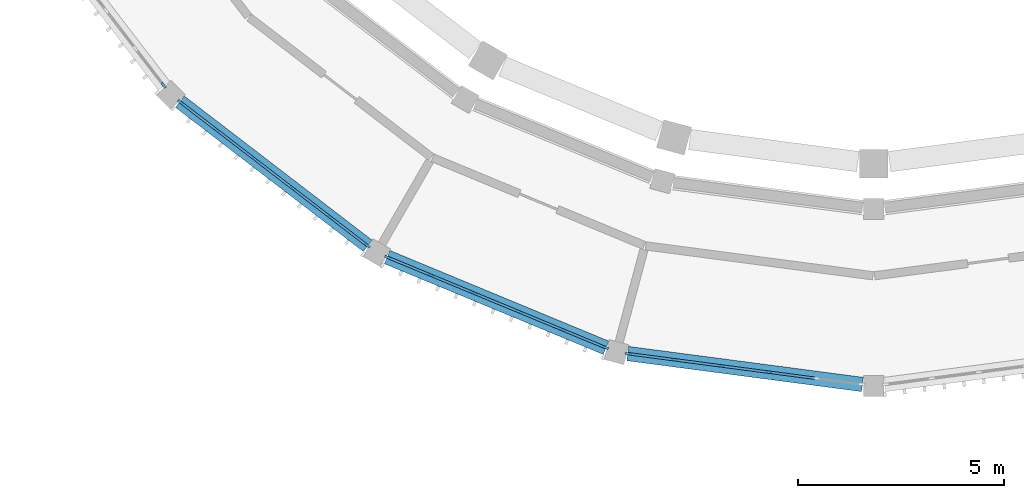
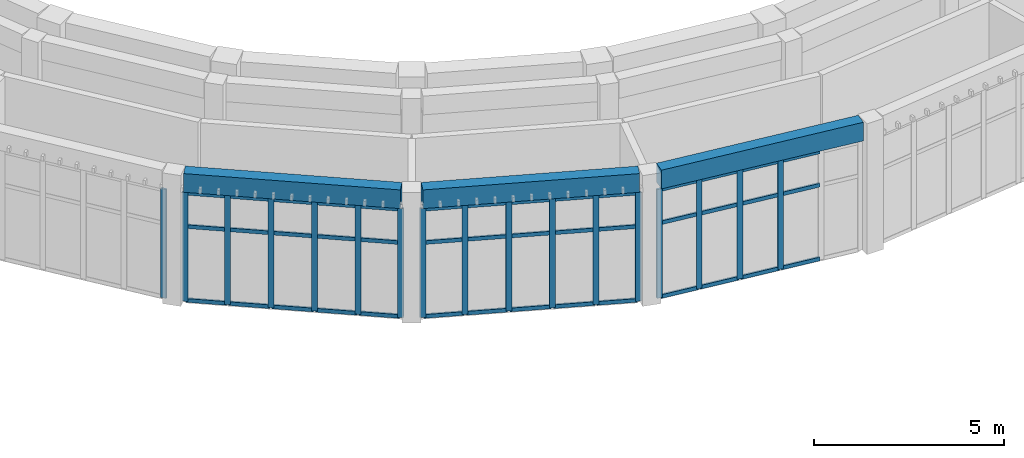
# One storey, part 3 of 99: 59 members, 3 beams, 4 elements without a shape of their own.
"""IFC4 building model written with IfcOpenShell, lengths in metres."""

from ifc_helpers import new_model, si_unit, direction, frame, origin, origin_2d, place, context, subcontext, project, spatial, rectangle, extrude, material, layer, layer_set, material_profile, profile_set, type_object, element, aggregate, save


model = new_model("IFC4")

# Units and contexts
model_context = context("Model", 3, precision=1e-05, world=origin(), true_north=direction((0.0, 1.0)))
body_context = subcontext(model_context, "Body", "Model", "MODEL_VIEW")
ifc_project = project(units=[si_unit("LENGTHUNIT", "METRE"), si_unit("AREAUNIT", "SQUARE_METRE"), si_unit("VOLUMEUNIT", "CUBIC_METRE"), si_unit("PLANEANGLEUNIT", "RADIAN"), si_unit("MASSUNIT", "GRAM", prefix="KILO")], contexts=[model_context])

# Site, building, storey
site_placement = place(None, origin())
site = spatial("IfcSite", under=ifc_project, at=site_placement, CompositionType="ELEMENT")
building_placement = place(site_placement, origin())
building = spatial("IfcBuilding", under=site, at=building_placement, Name="Wasatch Bagh Community Centre", CompositionType="ELEMENT")
storey_placement = place(building_placement, frame((0.0, 0.0, 4.199951171875)))
storey = spatial("IfcBuildingStorey", under=building, at=storey_placement, Name="L01", CompositionType="ELEMENT", Elevation=4.199951171875)

# Curtain wall, member
ifc_material_1 = material(Name="Aluminium curtain wall frame with low-iron insulated glass", Category="aluminium")
ifc_layer = layer(ifc_material_1, 0.14990234375)
ifc_layer_set = layer_set([ifc_layer], Name="Aluminium curtain wall frame with low-iron insulated glass")
curtain_wall_type = type_object("IfcCurtainWallType", Name="Drum curtain wall DR-CW2", PredefinedType="NOTDEFINED", material=ifc_layer_set)
curtain_wall_1_placement = place(storey_placement, origin())
curtain_wall_1 = element("IfcCurtainWall", 1, at=curtain_wall_1_placement, inside=storey, type_object=curtain_wall_type, Name="Curtain wall DR-CW2 3", PredefinedType="NOTDEFINED")
ifc_material_2 = material(Name="Aluminium curtain wall frame", Category="aluminium")
ifc_material_profile_1 = material_profile(ifc_material_2, rectangle(XDim=0.06005859375, YDim=0.159912109375, at=origin_2d()), Name="Drum mullion DR-CW2")
ifc_profile_set_1 = profile_set([ifc_material_profile_1], Name="Aluminium curtain wall frame")
member_type_1 = type_object("IfcMemberType", Name="Drum mullion DR-CW2", PredefinedType="MULLION", material=ifc_profile_set_1)
member_1_placement = place(storey_placement, frame((18.745361328125, 18.155517578125, 0.0), z_axis=(0.0, 0.0, 1.0), x_axis=(0.793353340196, 0.608761429133, 0.0)))
member_1 = element("IfcMember", 2, at=member_1_placement, type_object=member_type_1, Name="DR-CW2 mullion 6", PredefinedType="MULLION", context=body_context, shape_type="SweptSolid", body=[
    extrude(rectangle(XDim=0.06005859375, YDim=0.159912109375, at=origin_2d()), origin(), (0.0, 0.0, 1.0), 3.5),
])
aggregate(curtain_wall_1, [member_1])

# Curtain wall, members
curtain_wall_2_placement = place(storey_placement, origin())
curtain_wall_2 = element("IfcCurtainWall", 3, at=curtain_wall_2_placement, inside=storey, type_object=curtain_wall_type, Name="Curtain wall DR-CW2 4", PredefinedType="NOTDEFINED")
member_2_placement = place(storey_placement, frame((19.155517578125, 17.745361328125, 0.0), z_axis=(0.0, 0.0, 1.0), x_axis=(0.608761429133, 0.793353340196, 0.0)))
member_2 = element("IfcMember", 4, at=member_2_placement, type_object=member_type_1, Name="DR-CW2 mullion 1", PredefinedType="MULLION", context=body_context, shape_type="SweptSolid", body=[
    extrude(rectangle(XDim=0.06005859375, YDim=0.159912109375, at=origin_2d()), origin(), (0.0, 0.0, 1.0), 3.5),
])
member_3_placement = place(storey_placement, frame((20.048583984375, 17.059814453125, 0.0), z_axis=(0.0, 0.0, 1.0), x_axis=(0.608761429133, 0.793353340196, 0.0)))
member_3 = element("IfcMember", 5, at=member_3_placement, type_object=member_type_1, Name="DR-CW2 mullion 2", PredefinedType="MULLION", context=body_context, shape_type="SweptSolid", body=[
    extrude(rectangle(XDim=0.06005859375, YDim=0.159912109375, at=origin_2d()), origin(), (0.0, 0.0, 1.0), 3.5),
])
member_4_placement = place(storey_placement, frame((20.965576171875, 16.356201171875, 0.0), z_axis=(0.0, 0.0, 1.0), x_axis=(0.608761429133, 0.793353340196, 0.0)))
member_4 = element("IfcMember", 6, at=member_4_placement, type_object=member_type_1, Name="DR-CW2 mullion 3", PredefinedType="MULLION", context=body_context, shape_type="SweptSolid", body=[
    extrude(rectangle(XDim=0.06005859375, YDim=0.159912109375, at=origin_2d()), origin(), (0.0, 0.0, 1.0), 3.5),
])
member_5_placement = place(storey_placement, frame((21.8828125, 15.652587890625, 0.0), z_axis=(0.0, 0.0, 1.0), x_axis=(0.608761429133, 0.793353340196, 0.0)))
member_5 = element("IfcMember", 7, at=member_5_placement, type_object=member_type_1, Name="DR-CW2 mullion 4", PredefinedType="MULLION", context=body_context, shape_type="SweptSolid", body=[
    extrude(rectangle(XDim=0.06005859375, YDim=0.159912109375, at=origin_2d()), origin(), (0.0, 0.0, 1.0), 3.5),
])
member_6_placement = place(storey_placement, frame((22.7998046875, 14.948974609375, 0.0), z_axis=(0.0, 0.0, 1.0), x_axis=(0.608761429133, 0.793353340196, 0.0)))
member_6 = element("IfcMember", 8, at=member_6_placement, type_object=member_type_1, Name="DR-CW2 mullion 5", PredefinedType="MULLION", context=body_context, shape_type="SweptSolid", body=[
    extrude(rectangle(XDim=0.06005859375, YDim=0.159912109375, at=origin_2d()), origin(), (0.0, 0.0, 1.0), 3.5),
])
member_7_placement = place(storey_placement, frame((23.69287109375, 14.263671875, 0.0), z_axis=(0.0, 0.0, 1.0), x_axis=(0.608761429133, 0.793353340196, 0.0)))
member_7 = element("IfcMember", 9, at=member_7_placement, type_object=member_type_1, Name="DR-CW2 mullion 6", PredefinedType="MULLION", context=body_context, shape_type="SweptSolid", body=[
    extrude(rectangle(XDim=0.06005859375, YDim=0.159912109375, at=origin_2d()), origin(), (0.0, 0.0, 1.0), 3.5),
])

curtain_wall_3_placement = place(storey_placement, origin())
curtain_wall_3 = element("IfcCurtainWall", 10, at=curtain_wall_3_placement, inside=storey, type_object=curtain_wall_type, Name="Curtain wall DR-CW2 5", PredefinedType="NOTDEFINED")
member_8_placement = place(storey_placement, frame((24.1953125, 13.9736328125, 0.0), z_axis=(0.0, 0.0, 1.0), x_axis=(0.38268343251, 0.923879532451, 0.0)))
member_8 = element("IfcMember", 11, at=member_8_placement, type_object=member_type_1, Name="DR-CW2 mullion 1", PredefinedType="MULLION", context=body_context, shape_type="SweptSolid", body=[
    extrude(rectangle(XDim=0.06005859375, YDim=0.159912109375, at=origin_2d()), origin(), (0.0, 0.0, 1.0), 3.5),
])
member_9_placement = place(storey_placement, frame((25.2353515625, 13.542724609375, 0.0), z_axis=(0.0, 0.0, 1.0), x_axis=(0.38268343251, 0.923879532451, 0.0)))
member_9 = element("IfcMember", 12, at=member_9_placement, type_object=member_type_1, Name="DR-CW2 mullion 2", PredefinedType="MULLION", context=body_context, shape_type="SweptSolid", body=[
    extrude(rectangle(XDim=0.06005859375, YDim=0.159912109375, at=origin_2d()), origin(), (0.0, 0.0, 1.0), 3.5),
])
member_10_placement = place(storey_placement, frame((26.30322265625, 13.100341796875, 0.0), z_axis=(0.0, 0.0, 1.0), x_axis=(0.38268343251, 0.923879532451, 0.0)))
member_10 = element("IfcMember", 13, at=member_10_placement, type_object=member_type_1, Name="DR-CW2 mullion 3", PredefinedType="MULLION", context=body_context, shape_type="SweptSolid", body=[
    extrude(rectangle(XDim=0.06005859375, YDim=0.159912109375, at=origin_2d()), origin(), (0.0, 0.0, 1.0), 3.5),
])
member_11_placement = place(storey_placement, frame((27.37109375, 12.657958984375, 0.0), z_axis=(0.0, 0.0, 1.0), x_axis=(0.38268343251, 0.923879532451, 0.0)))
member_11 = element("IfcMember", 14, at=member_11_placement, type_object=member_type_1, Name="DR-CW2 mullion 4", PredefinedType="MULLION", context=body_context, shape_type="SweptSolid", body=[
    extrude(rectangle(XDim=0.06005859375, YDim=0.159912109375, at=origin_2d()), origin(), (0.0, 0.0, 1.0), 3.5),
])
member_12_placement = place(storey_placement, frame((28.439208984375, 12.215576171875, 0.0), z_axis=(0.0, 0.0, 1.0), x_axis=(0.38268343251, 0.923879532451, 0.0)))
member_12 = element("IfcMember", 15, at=member_12_placement, type_object=member_type_1, Name="DR-CW2 mullion 5", PredefinedType="MULLION", context=body_context, shape_type="SweptSolid", body=[
    extrude(rectangle(XDim=0.06005859375, YDim=0.159912109375, at=origin_2d()), origin(), (0.0, 0.0, 1.0), 3.5),
])
member_13_placement = place(storey_placement, frame((29.479248046875, 11.784912109375, 0.0), z_axis=(0.0, 0.0, 1.0), x_axis=(0.38268343251, 0.923879532451, 0.0)))
member_13 = element("IfcMember", 16, at=member_13_placement, type_object=member_type_1, Name="DR-CW2 mullion 6", PredefinedType="MULLION", context=body_context, shape_type="SweptSolid", body=[
    extrude(rectangle(XDim=0.06005859375, YDim=0.159912109375, at=origin_2d()), origin(), (0.0, 0.0, 1.0), 3.5),
])

curtain_wall_4_placement = place(storey_placement, origin())
curtain_wall_4 = element("IfcCurtainWall", 17, at=curtain_wall_4_placement, inside=storey, type_object=curtain_wall_type, Name="Curtain wall DR-CW2 6", PredefinedType="NOTDEFINED")
member_14_placement = place(storey_placement, frame((30.03955078125, 11.634765625, 0.0), z_axis=(0.0, 0.0, 1.0), x_axis=(0.130526192185, 0.991444861378, 0.0)))
member_14 = element("IfcMember", 18, at=member_14_placement, type_object=member_type_1, Name="DR-CW2 mullion 1", PredefinedType="MULLION", context=body_context, shape_type="SweptSolid", body=[
    extrude(rectangle(XDim=0.06005859375, YDim=0.159912109375, at=origin_2d()), origin(), (0.0, 0.0, 1.0), 3.5),
])
member_15_placement = place(storey_placement, frame((31.15576171875, 11.48779296875, 0.0), z_axis=(0.0, 0.0, 1.0), x_axis=(0.130526192185, 0.991444861378, 0.0)))
member_15 = element("IfcMember", 19, at=member_15_placement, type_object=member_type_1, Name="DR-CW2 mullion 2", PredefinedType="MULLION", context=body_context, shape_type="SweptSolid", body=[
    extrude(rectangle(XDim=0.06005859375, YDim=0.159912109375, at=origin_2d()), origin(), (0.0, 0.0, 1.0), 3.5),
])
member_16_placement = place(storey_placement, frame((32.3017578125, 11.3369140625, 0.0), z_axis=(0.0, 0.0, 1.0), x_axis=(0.130526192185, 0.991444861378, 0.0)))
member_16 = element("IfcMember", 20, at=member_16_placement, type_object=member_type_1, Name="DR-CW2 mullion 3", PredefinedType="MULLION", context=body_context, shape_type="SweptSolid", body=[
    extrude(rectangle(XDim=0.06005859375, YDim=0.159912109375, at=origin_2d()), origin(), (0.0, 0.0, 1.0), 3.5),
])
member_17_placement = place(storey_placement, frame((33.44775390625, 11.18603515625, 0.0), z_axis=(0.0, 0.0, 1.0), x_axis=(0.130526192185, 0.991444861378, 0.0)))
member_17 = element("IfcMember", 21, at=member_17_placement, type_object=member_type_1, Name="DR-CW2 mullion 4", PredefinedType="MULLION", context=body_context, shape_type="SweptSolid", body=[
    extrude(rectangle(XDim=0.06005859375, YDim=0.159912109375, at=origin_2d()), origin(), (0.0, 0.0, 1.0), 3.5),
])

# Beams
ifc_material_3 = material(Name="Concrete C35", Category="concrete")
ifc_material_profile_2 = material_profile(ifc_material_3, rectangle(XDim=0.35009765625, YDim=0.60009765625, at=origin_2d()), Name="RC 350x600")
ifc_profile_set_2 = profile_set([ifc_material_profile_2], Name="Concrete C35")
beam_type = type_object("IfcBeamType", Name="Drum ring beam RC 350x600", PredefinedType="BEAM", material=ifc_profile_set_2)
beam_1_placement = place(storey_placement, frame((19.14208984375, 17.755615234375, 3.900146484375), z_axis=(0.793356989288, -0.608756673514, 0.0), x_axis=(0.608756673514, 0.793356989288, 0.0)))
element("IfcBeam", 22, at=beam_1_placement, inside=storey, type_object=beam_type, Name="Ring beam 8.4 DO-S3-DO-S4", PredefinedType="BEAM", context=body_context, shape_type="SweptSolid", body=[
    extrude(rectangle(XDim=0.35009765625, YDim=0.60009765625, at=origin_2d()), origin(), (0.0, 0.0, 1.0), 5.7529296875),
])
beam_2_placement = place(storey_placement, frame((24.1796875, 13.97998046875, 3.900146484375), z_axis=(0.923877183952, -0.38268910224, 0.0), x_axis=(0.38268910224, 0.923877183952, 0.0)))
element("IfcBeam", 23, at=beam_2_placement, inside=storey, type_object=beam_type, Name="Ring beam 8.4 DO-S4-DO-S5", PredefinedType="BEAM", context=body_context, shape_type="SweptSolid", body=[
    extrude(rectangle(XDim=0.35009765625, YDim=0.60009765625, at=origin_2d()), origin(), (0.0, 0.0, 1.0), 5.753173828125),
])
beam_3_placement = place(storey_placement, frame((30.02294921875, 11.636962890625, 3.900146484375), z_axis=(0.991443025046, -0.130540139759, 0.0), x_axis=(0.130540139759, 0.991443025046, 0.0)))
element("IfcBeam", 24, at=beam_3_placement, inside=storey, type_object=beam_type, Name="Ring beam 8.4 DO-S5-DO-S6", PredefinedType="BEAM", context=body_context, shape_type="SweptSolid", body=[
    extrude(rectangle(XDim=0.35009765625, YDim=0.60009765625, at=origin_2d()), origin(), (0.0, 0.0, 1.0), 5.7529296875),
])

# Member
ifc_material_profile_3 = material_profile(ifc_material_2, rectangle(XDim=0.06005859375, YDim=0.1201171875, at=origin_2d()), Name="Drum transom DR-CW2")
ifc_profile_set_3 = profile_set([ifc_material_profile_3], Name="Aluminium curtain wall frame")
member_type_2 = type_object("IfcMemberType", Name="Drum transom DR-CW2", PredefinedType="USERDEFINED", material=ifc_profile_set_3)
member_18_placement = place(storey_placement, frame((19.17919921875, 17.72705078125, 0.030029296875), z_axis=(0.793355628453, -0.608758447006, 0.0), x_axis=(0.608758447006, 0.793355628453, 0.0)))
member_18 = element("IfcMember", 25, at=member_18_placement, type_object=member_type_2, Name="DR-CW2 transom 1.1", ObjectType="TRANSOM", PredefinedType="USERDEFINED", context=body_context, shape_type="SweptSolid", body=[
    extrude(rectangle(XDim=0.06005859375, YDim=0.1201171875, at=origin_2d()), origin(), (0.0, 0.0, 1.0), 1.06591796875),
])

member_19_placement = place(storey_placement, frame((19.17919921875, 17.72705078125, 2.400146484375), z_axis=(0.793355628453, -0.608758447006, 0.0), x_axis=(0.608758447006, 0.793355628453, 0.0)))
member_19 = element("IfcMember", 26, at=member_19_placement, type_object=member_type_2, Name="DR-CW2 transom 1.2", ObjectType="TRANSOM", PredefinedType="USERDEFINED", context=body_context, shape_type="SweptSolid", body=[
    extrude(rectangle(XDim=0.06005859375, YDim=0.1201171875, at=origin_2d()), origin(), (0.0, 0.0, 1.0), 1.06591796875),
])

member_20_placement = place(storey_placement, frame((19.17919921875, 17.72705078125, 3.469970703125), z_axis=(0.793355628453, -0.608758447006, 0.0), x_axis=(0.608758447006, 0.793355628453, 0.0)))
member_20 = element("IfcMember", 27, at=member_20_placement, type_object=member_type_2, Name="DR-CW2 transom 1.3", ObjectType="TRANSOM", PredefinedType="USERDEFINED", context=body_context, shape_type="SweptSolid", body=[
    extrude(rectangle(XDim=0.06005859375, YDim=0.1201171875, at=origin_2d()), origin(), (0.0, 0.0, 1.0), 1.06591796875),
])

member_21_placement = place(storey_placement, frame((20.072509765625, 17.041748046875, 0.030029296875), z_axis=(0.793294312563, -0.608838347721, 0.0), x_axis=(0.608838347721, 0.793294312563, 0.0)))
member_21 = element("IfcMember", 28, at=member_21_placement, type_object=member_type_2, Name="DR-CW2 transom 2.1", ObjectType="TRANSOM", PredefinedType="USERDEFINED", context=body_context, shape_type="SweptSolid", body=[
    extrude(rectangle(XDim=0.06005859375, YDim=0.1201171875, at=origin_2d()), origin(), (0.0, 0.0, 1.0), 1.095947265625),
])

member_22_placement = place(storey_placement, frame((20.072509765625, 17.041748046875, 2.400146484375), z_axis=(0.793294312563, -0.608838347721, 0.0), x_axis=(0.608838347721, 0.793294312563, 0.0)))
member_22 = element("IfcMember", 29, at=member_22_placement, type_object=member_type_2, Name="DR-CW2 transom 2.2", ObjectType="TRANSOM", PredefinedType="USERDEFINED", context=body_context, shape_type="SweptSolid", body=[
    extrude(rectangle(XDim=0.06005859375, YDim=0.1201171875, at=origin_2d()), origin(), (0.0, 0.0, 1.0), 1.095947265625),
])

member_23_placement = place(storey_placement, frame((20.072509765625, 17.041748046875, 3.469970703125), z_axis=(0.793294312563, -0.608838347721, 0.0), x_axis=(0.608838347721, 0.793294312563, 0.0)))
member_23 = element("IfcMember", 30, at=member_23_placement, type_object=member_type_2, Name="DR-CW2 transom 2.3", ObjectType="TRANSOM", PredefinedType="USERDEFINED", context=body_context, shape_type="SweptSolid", body=[
    extrude(rectangle(XDim=0.06005859375, YDim=0.1201171875, at=origin_2d()), origin(), (0.0, 0.0, 1.0), 1.095947265625),
])

member_24_placement = place(storey_placement, frame((20.989501953125, 16.337890625, 0.030029296875), z_axis=(0.793401911405, -0.608698124672, 0.0), x_axis=(0.608698124672, 0.793401911405, 0.0)))
member_24 = element("IfcMember", 31, at=member_24_placement, type_object=member_type_2, Name="DR-CW2 transom 3.1", ObjectType="TRANSOM", PredefinedType="USERDEFINED", context=body_context, shape_type="SweptSolid", body=[
    extrude(rectangle(XDim=0.06005859375, YDim=0.1201171875, at=origin_2d()), origin(), (0.0, 0.0, 1.0), 1.095703125),
])

member_25_placement = place(storey_placement, frame((20.989501953125, 16.337890625, 2.400146484375), z_axis=(0.793401911405, -0.608698124672, 0.0), x_axis=(0.608698124672, 0.793401911405, 0.0)))
member_25 = element("IfcMember", 32, at=member_25_placement, type_object=member_type_2, Name="DR-CW2 transom 3.2", ObjectType="TRANSOM", PredefinedType="USERDEFINED", context=body_context, shape_type="SweptSolid", body=[
    extrude(rectangle(XDim=0.06005859375, YDim=0.1201171875, at=origin_2d()), origin(), (0.0, 0.0, 1.0), 1.095703125),
])

member_26_placement = place(storey_placement, frame((20.989501953125, 16.337890625, 3.469970703125), z_axis=(0.793401911405, -0.608698124672, 0.0), x_axis=(0.608698124672, 0.793401911405, 0.0)))
member_26 = element("IfcMember", 33, at=member_26_placement, type_object=member_type_2, Name="DR-CW2 transom 3.3", ObjectType="TRANSOM", PredefinedType="USERDEFINED", context=body_context, shape_type="SweptSolid", body=[
    extrude(rectangle(XDim=0.06005859375, YDim=0.1201171875, at=origin_2d()), origin(), (0.0, 0.0, 1.0), 1.095703125),
])

member_27_placement = place(storey_placement, frame((21.906494140625, 15.63427734375, 0.030029296875), z_axis=(0.793401911405, -0.608698124672, 0.0), x_axis=(0.608698124672, 0.793401911405, 0.0)))
member_27 = element("IfcMember", 34, at=member_27_placement, type_object=member_type_2, Name="DR-CW2 transom 4.1", ObjectType="TRANSOM", PredefinedType="USERDEFINED", context=body_context, shape_type="SweptSolid", body=[
    extrude(rectangle(XDim=0.06005859375, YDim=0.1201171875, at=origin_2d()), origin(), (0.0, 0.0, 1.0), 1.095703125),
])

member_28_placement = place(storey_placement, frame((21.906494140625, 15.63427734375, 2.400146484375), z_axis=(0.793401911405, -0.608698124672, 0.0), x_axis=(0.608698124672, 0.793401911405, 0.0)))
member_28 = element("IfcMember", 35, at=member_28_placement, type_object=member_type_2, Name="DR-CW2 transom 4.2", ObjectType="TRANSOM", PredefinedType="USERDEFINED", context=body_context, shape_type="SweptSolid", body=[
    extrude(rectangle(XDim=0.06005859375, YDim=0.1201171875, at=origin_2d()), origin(), (0.0, 0.0, 1.0), 1.095703125),
])

member_29_placement = place(storey_placement, frame((21.906494140625, 15.63427734375, 3.469970703125), z_axis=(0.793401911405, -0.608698124672, 0.0), x_axis=(0.608698124672, 0.793401911405, 0.0)))
member_29 = element("IfcMember", 36, at=member_29_placement, type_object=member_type_2, Name="DR-CW2 transom 4.3", ObjectType="TRANSOM", PredefinedType="USERDEFINED", context=body_context, shape_type="SweptSolid", body=[
    extrude(rectangle(XDim=0.06005859375, YDim=0.1201171875, at=origin_2d()), origin(), (0.0, 0.0, 1.0), 1.095703125),
])

member_30_placement = place(storey_placement, frame((22.823486328125, 14.9306640625, 0.030029296875), z_axis=(0.793355628453, -0.608758447006, 0.0), x_axis=(0.608758447006, 0.793355628453, 0.0)))
member_30 = element("IfcMember", 37, at=member_30_placement, type_object=member_type_2, Name="DR-CW2 transom 5.1", ObjectType="TRANSOM", PredefinedType="USERDEFINED", context=body_context, shape_type="SweptSolid", body=[
    extrude(rectangle(XDim=0.06005859375, YDim=0.1201171875, at=origin_2d()), origin(), (0.0, 0.0, 1.0), 1.06591796875),
])

member_31_placement = place(storey_placement, frame((22.823486328125, 14.9306640625, 2.400146484375), z_axis=(0.793355628453, -0.608758447006, 0.0), x_axis=(0.608758447006, 0.793355628453, 0.0)))
member_31 = element("IfcMember", 38, at=member_31_placement, type_object=member_type_2, Name="DR-CW2 transom 5.2", ObjectType="TRANSOM", PredefinedType="USERDEFINED", context=body_context, shape_type="SweptSolid", body=[
    extrude(rectangle(XDim=0.06005859375, YDim=0.1201171875, at=origin_2d()), origin(), (0.0, 0.0, 1.0), 1.06591796875),
])

member_32_placement = place(storey_placement, frame((22.823486328125, 14.9306640625, 3.469970703125), z_axis=(0.793355628453, -0.608758447006, 0.0), x_axis=(0.608758447006, 0.793355628453, 0.0)))
member_32 = element("IfcMember", 39, at=member_32_placement, type_object=member_type_2, Name="DR-CW2 transom 5.3", ObjectType="TRANSOM", PredefinedType="USERDEFINED", context=body_context, shape_type="SweptSolid", body=[
    extrude(rectangle(XDim=0.06005859375, YDim=0.1201171875, at=origin_2d()), origin(), (0.0, 0.0, 1.0), 1.06591796875),
])

aggregate(curtain_wall_2, [member_2, member_3, member_4, member_5, member_6, member_7, member_18, member_19, member_20, member_21, member_22, member_23, member_24, member_25, member_26, member_27, member_28, member_29, member_30, member_31, member_32])

member_33_placement = place(storey_placement, frame((24.222900390625, 13.962158203125, 0.030029296875), z_axis=(0.923874472572, -0.38269564791, 0.0), x_axis=(0.38269564791, 0.923874472572, 0.0)))
member_33 = element("IfcMember", 40, at=member_33_placement, type_object=member_type_2, Name="DR-CW2 transom 1.1", ObjectType="TRANSOM", PredefinedType="USERDEFINED", context=body_context, shape_type="SweptSolid", body=[
    extrude(rectangle(XDim=0.06005859375, YDim=0.1201171875, at=origin_2d()), origin(), (0.0, 0.0, 1.0), 1.06591796875),
])

member_34_placement = place(storey_placement, frame((24.222900390625, 13.962158203125, 2.400146484375), z_axis=(0.923874472572, -0.38269564791, 0.0), x_axis=(0.38269564791, 0.923874472572, 0.0)))
member_34 = element("IfcMember", 41, at=member_34_placement, type_object=member_type_2, Name="DR-CW2 transom 1.2", ObjectType="TRANSOM", PredefinedType="USERDEFINED", context=body_context, shape_type="SweptSolid", body=[
    extrude(rectangle(XDim=0.06005859375, YDim=0.1201171875, at=origin_2d()), origin(), (0.0, 0.0, 1.0), 1.06591796875),
])

member_35_placement = place(storey_placement, frame((24.222900390625, 13.962158203125, 3.469970703125), z_axis=(0.923874472572, -0.38269564791, 0.0), x_axis=(0.38269564791, 0.923874472572, 0.0)))
member_35 = element("IfcMember", 42, at=member_35_placement, type_object=member_type_2, Name="DR-CW2 transom 1.3", ObjectType="TRANSOM", PredefinedType="USERDEFINED", context=body_context, shape_type="SweptSolid", body=[
    extrude(rectangle(XDim=0.06005859375, YDim=0.1201171875, at=origin_2d()), origin(), (0.0, 0.0, 1.0), 1.06591796875),
])

member_36_placement = place(storey_placement, frame((25.26318359375, 13.53125, 0.030029296875), z_axis=(0.923859339579, -0.382732178779, 0.0), x_axis=(0.382732178779, 0.923859339579, 0.0)))
member_36 = element("IfcMember", 43, at=member_36_placement, type_object=member_type_2, Name="DR-CW2 transom 2.1", ObjectType="TRANSOM", PredefinedType="USERDEFINED", context=body_context, shape_type="SweptSolid", body=[
    extrude(rectangle(XDim=0.06005859375, YDim=0.1201171875, at=origin_2d()), origin(), (0.0, 0.0, 1.0), 1.095947265625),
])

member_37_placement = place(storey_placement, frame((25.26318359375, 13.53125, 2.400146484375), z_axis=(0.923859339579, -0.382732178779, 0.0), x_axis=(0.382732178779, 0.923859339579, 0.0)))
member_37 = element("IfcMember", 44, at=member_37_placement, type_object=member_type_2, Name="DR-CW2 transom 2.2", ObjectType="TRANSOM", PredefinedType="USERDEFINED", context=body_context, shape_type="SweptSolid", body=[
    extrude(rectangle(XDim=0.06005859375, YDim=0.1201171875, at=origin_2d()), origin(), (0.0, 0.0, 1.0), 1.095947265625),
])

member_38_placement = place(storey_placement, frame((25.26318359375, 13.53125, 3.469970703125), z_axis=(0.923859339579, -0.382732178779, 0.0), x_axis=(0.382732178779, 0.923859339579, 0.0)))
member_38 = element("IfcMember", 45, at=member_38_placement, type_object=member_type_2, Name="DR-CW2 transom 2.3", ObjectType="TRANSOM", PredefinedType="USERDEFINED", context=body_context, shape_type="SweptSolid", body=[
    extrude(rectangle(XDim=0.06005859375, YDim=0.1201171875, at=origin_2d()), origin(), (0.0, 0.0, 1.0), 1.095947265625),
])

member_39_placement = place(storey_placement, frame((26.3310546875, 13.0888671875, 0.030029296875), z_axis=(0.923859339579, -0.382732178779, 0.0), x_axis=(0.382732178779, 0.923859339579, 0.0)))
member_39 = element("IfcMember", 46, at=member_39_placement, type_object=member_type_2, Name="DR-CW2 transom 3.1", ObjectType="TRANSOM", PredefinedType="USERDEFINED", context=body_context, shape_type="SweptSolid", body=[
    extrude(rectangle(XDim=0.06005859375, YDim=0.1201171875, at=origin_2d()), origin(), (0.0, 0.0, 1.0), 1.095947265625),
])

member_40_placement = place(storey_placement, frame((26.3310546875, 13.0888671875, 2.400146484375), z_axis=(0.923859339579, -0.382732178779, 0.0), x_axis=(0.382732178779, 0.923859339579, 0.0)))
member_40 = element("IfcMember", 47, at=member_40_placement, type_object=member_type_2, Name="DR-CW2 transom 3.2", ObjectType="TRANSOM", PredefinedType="USERDEFINED", context=body_context, shape_type="SweptSolid", body=[
    extrude(rectangle(XDim=0.06005859375, YDim=0.1201171875, at=origin_2d()), origin(), (0.0, 0.0, 1.0), 1.095947265625),
])

member_41_placement = place(storey_placement, frame((26.3310546875, 13.0888671875, 3.469970703125), z_axis=(0.923859339579, -0.382732178779, 0.0), x_axis=(0.382732178779, 0.923859339579, 0.0)))
member_41 = element("IfcMember", 48, at=member_41_placement, type_object=member_type_2, Name="DR-CW2 transom 3.3", ObjectType="TRANSOM", PredefinedType="USERDEFINED", context=body_context, shape_type="SweptSolid", body=[
    extrude(rectangle(XDim=0.06005859375, YDim=0.1201171875, at=origin_2d()), origin(), (0.0, 0.0, 1.0), 1.095947265625),
])

member_42_placement = place(storey_placement, frame((27.39892578125, 12.646484375, 0.030029296875), z_axis=(0.923859339579, -0.382732178779, 0.0), x_axis=(0.382732178779, 0.923859339579, 0.0)))
member_42 = element("IfcMember", 49, at=member_42_placement, type_object=member_type_2, Name="DR-CW2 transom 4.1", ObjectType="TRANSOM", PredefinedType="USERDEFINED", context=body_context, shape_type="SweptSolid", body=[
    extrude(rectangle(XDim=0.06005859375, YDim=0.1201171875, at=origin_2d()), origin(), (0.0, 0.0, 1.0), 1.095947265625),
])

member_43_placement = place(storey_placement, frame((27.39892578125, 12.646484375, 2.400146484375), z_axis=(0.923859339579, -0.382732178779, 0.0), x_axis=(0.382732178779, 0.923859339579, 0.0)))
member_43 = element("IfcMember", 50, at=member_43_placement, type_object=member_type_2, Name="DR-CW2 transom 4.2", ObjectType="TRANSOM", PredefinedType="USERDEFINED", context=body_context, shape_type="SweptSolid", body=[
    extrude(rectangle(XDim=0.06005859375, YDim=0.1201171875, at=origin_2d()), origin(), (0.0, 0.0, 1.0), 1.095947265625),
])

member_44_placement = place(storey_placement, frame((27.39892578125, 12.646484375, 3.469970703125), z_axis=(0.923859339579, -0.382732178779, 0.0), x_axis=(0.382732178779, 0.923859339579, 0.0)))
member_44 = element("IfcMember", 51, at=member_44_placement, type_object=member_type_2, Name="DR-CW2 transom 4.3", ObjectType="TRANSOM", PredefinedType="USERDEFINED", context=body_context, shape_type="SweptSolid", body=[
    extrude(rectangle(XDim=0.06005859375, YDim=0.1201171875, at=origin_2d()), origin(), (0.0, 0.0, 1.0), 1.095947265625),
])

member_45_placement = place(storey_placement, frame((28.466796875, 12.2041015625, 0.030029296875), z_axis=(0.923955432606, -0.382500141907, 0.0), x_axis=(0.382500141907, 0.923955432606, 0.0)))
member_45 = element("IfcMember", 52, at=member_45_placement, type_object=member_type_2, Name="DR-CW2 transom 5.1", ObjectType="TRANSOM", PredefinedType="USERDEFINED", context=body_context, shape_type="SweptSolid", body=[
    extrude(rectangle(XDim=0.06005859375, YDim=0.1201171875, at=origin_2d()), origin(), (0.0, 0.0, 1.0), 1.06591796875),
])

member_46_placement = place(storey_placement, frame((28.466796875, 12.2041015625, 2.400146484375), z_axis=(0.923955432606, -0.382500141907, 0.0), x_axis=(0.382500141907, 0.923955432606, 0.0)))
member_46 = element("IfcMember", 53, at=member_46_placement, type_object=member_type_2, Name="DR-CW2 transom 5.2", ObjectType="TRANSOM", PredefinedType="USERDEFINED", context=body_context, shape_type="SweptSolid", body=[
    extrude(rectangle(XDim=0.06005859375, YDim=0.1201171875, at=origin_2d()), origin(), (0.0, 0.0, 1.0), 1.06591796875),
])

member_47_placement = place(storey_placement, frame((28.466796875, 12.2041015625, 3.469970703125), z_axis=(0.923955432606, -0.382500141907, 0.0), x_axis=(0.382500141907, 0.923955432606, 0.0)))
member_47 = element("IfcMember", 54, at=member_47_placement, type_object=member_type_2, Name="DR-CW2 transom 5.3", ObjectType="TRANSOM", PredefinedType="USERDEFINED", context=body_context, shape_type="SweptSolid", body=[
    extrude(rectangle(XDim=0.06005859375, YDim=0.1201171875, at=origin_2d()), origin(), (0.0, 0.0, 1.0), 1.06591796875),
])

aggregate(curtain_wall_3, [member_8, member_9, member_10, member_11, member_12, member_13, member_33, member_34, member_35, member_36, member_37, member_38, member_39, member_40, member_41, member_42, member_43, member_44, member_45, member_46, member_47])

member_48_placement = place(storey_placement, frame((30.0693359375, 11.630859375, 0.030029296875), z_axis=(0.991438694485, -0.130573025845, 0.0), x_axis=(0.130573025845, 0.991438694485, 0.0)))
member_48 = element("IfcMember", 55, at=member_48_placement, type_object=member_type_2, Name="DR-CW2 transom 1.1", ObjectType="TRANSOM", PredefinedType="USERDEFINED", context=body_context, shape_type="SweptSolid", body=[
    extrude(rectangle(XDim=0.06005859375, YDim=0.1201171875, at=origin_2d()), origin(), (0.0, 0.0, 1.0), 1.065673828125),
])

member_49_placement = place(storey_placement, frame((30.0693359375, 11.630859375, 2.400146484375), z_axis=(0.991438694485, -0.130573025845, 0.0), x_axis=(0.130573025845, 0.991438694485, 0.0)))
member_49 = element("IfcMember", 56, at=member_49_placement, type_object=member_type_2, Name="DR-CW2 transom 1.2", ObjectType="TRANSOM", PredefinedType="USERDEFINED", context=body_context, shape_type="SweptSolid", body=[
    extrude(rectangle(XDim=0.06005859375, YDim=0.1201171875, at=origin_2d()), origin(), (0.0, 0.0, 1.0), 1.065673828125),
])

member_50_placement = place(storey_placement, frame((30.0693359375, 11.630859375, 3.469970703125), z_axis=(0.991438694485, -0.130573025845, 0.0), x_axis=(0.130573025845, 0.991438694485, 0.0)))
member_50 = element("IfcMember", 57, at=member_50_placement, type_object=member_type_2, Name="DR-CW2 transom 1.3", ObjectType="TRANSOM", PredefinedType="USERDEFINED", context=body_context, shape_type="SweptSolid", body=[
    extrude(rectangle(XDim=0.06005859375, YDim=0.1201171875, at=origin_2d()), origin(), (0.0, 0.0, 1.0), 1.065673828125),
])

member_51_placement = place(storey_placement, frame((31.185546875, 11.48388671875, 0.030029296875), z_axis=(0.99144064028, -0.130558250608, 0.0), x_axis=(0.130558250608, 0.99144064028, 0.0)))
member_51 = element("IfcMember", 58, at=member_51_placement, type_object=member_type_2, Name="DR-CW2 transom 2.1", ObjectType="TRANSOM", PredefinedType="USERDEFINED", context=body_context, shape_type="SweptSolid", body=[
    extrude(rectangle(XDim=0.06005859375, YDim=0.1201171875, at=origin_2d()), origin(), (0.0, 0.0, 1.0), 1.095703125),
])

member_52_placement = place(storey_placement, frame((31.185546875, 11.48388671875, 2.400146484375), z_axis=(0.99144064028, -0.130558250608, 0.0), x_axis=(0.130558250608, 0.99144064028, 0.0)))
member_52 = element("IfcMember", 59, at=member_52_placement, type_object=member_type_2, Name="DR-CW2 transom 2.2", ObjectType="TRANSOM", PredefinedType="USERDEFINED", context=body_context, shape_type="SweptSolid", body=[
    extrude(rectangle(XDim=0.06005859375, YDim=0.1201171875, at=origin_2d()), origin(), (0.0, 0.0, 1.0), 1.095703125),
])

member_53_placement = place(storey_placement, frame((31.185546875, 11.48388671875, 3.469970703125), z_axis=(0.99144064028, -0.130558250608, 0.0), x_axis=(0.130558250608, 0.99144064028, 0.0)))
member_53 = element("IfcMember", 60, at=member_53_placement, type_object=member_type_2, Name="DR-CW2 transom 2.3", ObjectType="TRANSOM", PredefinedType="USERDEFINED", context=body_context, shape_type="SweptSolid", body=[
    extrude(rectangle(XDim=0.06005859375, YDim=0.1201171875, at=origin_2d()), origin(), (0.0, 0.0, 1.0), 1.095703125),
])

member_54_placement = place(storey_placement, frame((32.33154296875, 11.3330078125, 0.030029296875), z_axis=(0.99144064028, -0.130558250608, 0.0), x_axis=(0.130558250608, 0.99144064028, 0.0)))
member_54 = element("IfcMember", 61, at=member_54_placement, type_object=member_type_2, Name="DR-CW2 transom 3.1", ObjectType="TRANSOM", PredefinedType="USERDEFINED", context=body_context, shape_type="SweptSolid", body=[
    extrude(rectangle(XDim=0.06005859375, YDim=0.1201171875, at=origin_2d()), origin(), (0.0, 0.0, 1.0), 1.095703125),
])

member_55_placement = place(storey_placement, frame((32.33154296875, 11.3330078125, 2.400146484375), z_axis=(0.99144064028, -0.130558250608, 0.0), x_axis=(0.130558250608, 0.99144064028, 0.0)))
member_55 = element("IfcMember", 62, at=member_55_placement, type_object=member_type_2, Name="DR-CW2 transom 3.2", ObjectType="TRANSOM", PredefinedType="USERDEFINED", context=body_context, shape_type="SweptSolid", body=[
    extrude(rectangle(XDim=0.06005859375, YDim=0.1201171875, at=origin_2d()), origin(), (0.0, 0.0, 1.0), 1.095703125),
])

member_56_placement = place(storey_placement, frame((32.33154296875, 11.3330078125, 3.469970703125), z_axis=(0.99144064028, -0.130558250608, 0.0), x_axis=(0.130558250608, 0.99144064028, 0.0)))
member_56 = element("IfcMember", 63, at=member_56_placement, type_object=member_type_2, Name="DR-CW2 transom 3.3", ObjectType="TRANSOM", PredefinedType="USERDEFINED", context=body_context, shape_type="SweptSolid", body=[
    extrude(rectangle(XDim=0.06005859375, YDim=0.1201171875, at=origin_2d()), origin(), (0.0, 0.0, 1.0), 1.095703125),
])

member_57_placement = place(storey_placement, frame((33.4775390625, 11.18212890625, 0.030029296875), z_axis=(0.99144064028, -0.130558250608, 0.0), x_axis=(0.130558250608, 0.99144064028, 0.0)))
member_57 = element("IfcMember", 64, at=member_57_placement, type_object=member_type_2, Name="DR-CW2 transom 4.1", ObjectType="TRANSOM", PredefinedType="USERDEFINED", context=body_context, shape_type="SweptSolid", body=[
    extrude(rectangle(XDim=0.06005859375, YDim=0.1201171875, at=origin_2d()), origin(), (0.0, 0.0, 1.0), 1.095703125),
])

member_58_placement = place(storey_placement, frame((33.4775390625, 11.18212890625, 2.400146484375), z_axis=(0.99144064028, -0.130558250608, 0.0), x_axis=(0.130558250608, 0.99144064028, 0.0)))
member_58 = element("IfcMember", 65, at=member_58_placement, type_object=member_type_2, Name="DR-CW2 transom 4.2", ObjectType="TRANSOM", PredefinedType="USERDEFINED", context=body_context, shape_type="SweptSolid", body=[
    extrude(rectangle(XDim=0.06005859375, YDim=0.1201171875, at=origin_2d()), origin(), (0.0, 0.0, 1.0), 1.095703125),
])

member_59_placement = place(storey_placement, frame((33.4775390625, 11.18212890625, 3.469970703125), z_axis=(0.99144064028, -0.130558250608, 0.0), x_axis=(0.130558250608, 0.99144064028, 0.0)))
member_59 = element("IfcMember", 66, at=member_59_placement, type_object=member_type_2, Name="DR-CW2 transom 4.3", ObjectType="TRANSOM", PredefinedType="USERDEFINED", context=body_context, shape_type="SweptSolid", body=[
    extrude(rectangle(XDim=0.06005859375, YDim=0.1201171875, at=origin_2d()), origin(), (0.0, 0.0, 1.0), 1.095703125),
])

aggregate(curtain_wall_4, [member_14, member_15, member_16, member_17, member_48, member_49, member_50, member_51, member_52, member_53, member_54, member_55, member_56, member_57, member_58, member_59])

save(model, "model.ifc")
